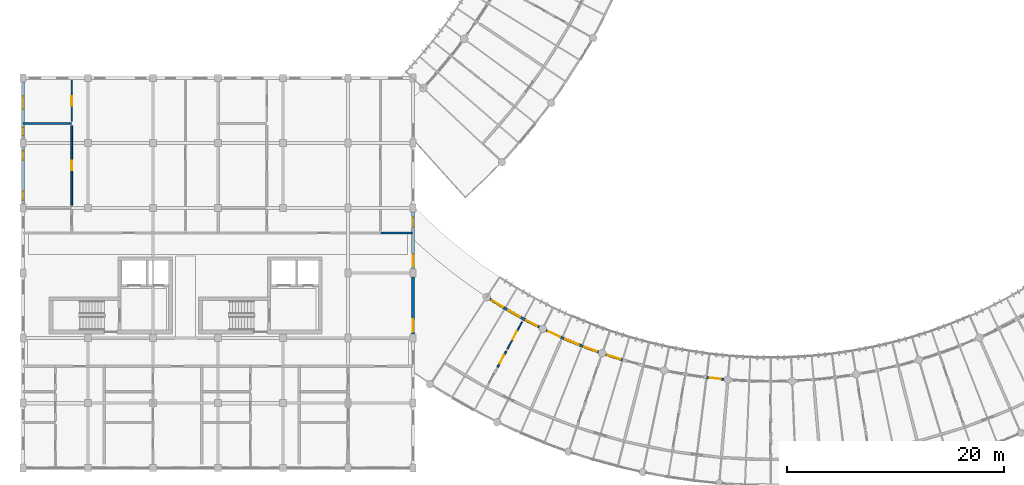
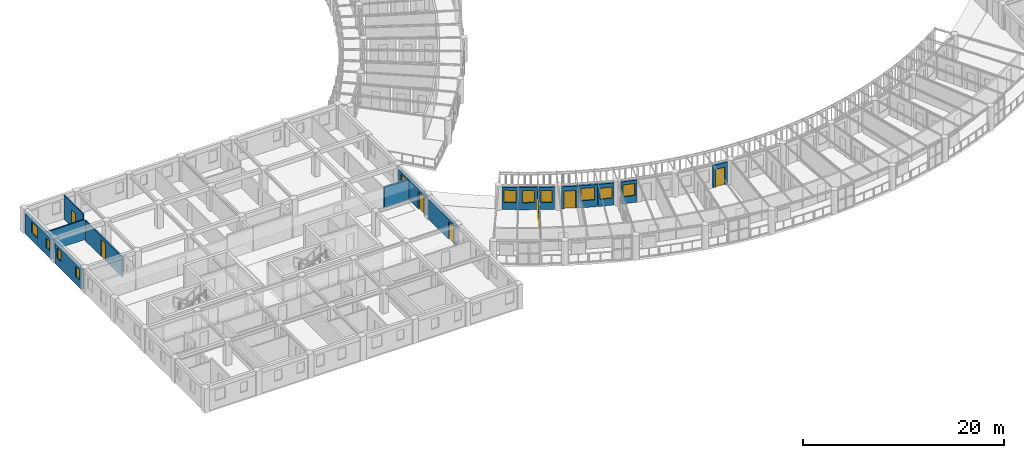
# One storey, part 58 of 100: 18 walls, 11 windows, 8 doors, 19 openings.
"""IFC4 building model written with IfcOpenShell, lengths in metres."""

from ifc_helpers import new_model, si_unit, direction, frame, frame_2d, origin, place, context, subcontext, project, spatial, rectangle, extrude, material, layer, layer_set, type_object, element, fill, save


model = new_model("IFC4")

# Units and contexts
model_context = context("Model", 3, precision=1e-05, world=origin(), true_north=direction((0.0, 1.0)))
body_context = subcontext(model_context, "Body", "Model", "MODEL_VIEW")
ifc_project = project(units=[si_unit("LENGTHUNIT", "METRE"), si_unit("AREAUNIT", "SQUARE_METRE"), si_unit("VOLUMEUNIT", "CUBIC_METRE"), si_unit("PLANEANGLEUNIT", "RADIAN"), si_unit("MASSUNIT", "GRAM", prefix="KILO"), si_unit("POWERUNIT", "WATT"), si_unit("THERMODYNAMICTEMPERATUREUNIT", "KELVIN")], contexts=[model_context])

# Site, building, storey
site_placement = place(None, origin())
site = spatial("IfcSite", under=ifc_project, at=site_placement, CompositionType="ELEMENT")
building_placement = place(site_placement, origin())
building = spatial("IfcBuilding", under=site, at=building_placement, Name="Ruvembo Vaulted Housing Court", CompositionType="ELEMENT")
storey_placement = place(building_placement, frame((0.0, 0.0, 10.89990234375)))
storey = spatial("IfcBuildingStorey", under=building, at=storey_placement, Name="L03", CompositionType="ELEMENT", Elevation=10.89990234375)

# Wall
ifc_material_1 = material(Name="Concrete Blockwork 200", Category="masonry")
ifc_layer_1 = layer(ifc_material_1, 0.199951171875, Name="Concrete Blockwork 200")
ifc_layer_set_1 = layer_set([ifc_layer_1], Name="Concrete Blockwork 200")
wall_type_1 = type_object("IfcWallType", Name="WL-CORR-200", PredefinedType="SOLIDWALL", material=ifc_layer_set_1)
wall_1_placement = place(storey_placement, frame((33.0400390625, 27.699951171875, 0.0), z_axis=(0.0, 0.0, 1.0), x_axis=(1.0, 0.0, 0.0)))
element("IfcWall", 1, at=wall_1_placement, inside=storey, type_object=wall_type_1, Name="L03 Flat A-L03-N2 Corridor Wall 2 WL-INT-L03-00823", PredefinedType="SOLIDWALL", context=body_context, shape_type="SweptSolid", body=[
    extrude(rectangle(XDim=2.919921875, YDim=0.199951171875, at=frame_2d((1.4599609375, 0.0))), origin(), (0.0, 0.0, 1.0), 2.442138671875),
])

# Wall, opening, window
ifc_material_2 = material(Name="Rendered Masonry 235", Category="masonry")
ifc_layer_2 = layer(ifc_material_2, 0.235107421875, Name="Rendered Masonry 235")
ifc_layer_set_2 = layer_set([ifc_layer_2], Name="Rendered Masonry 235")
wall_type_2 = type_object("IfcWallType", Name="WL-EXT-235", PredefinedType="STANDARD", material=ifc_layer_set_2)
wall_2_placement = place(storey_placement, frame((43.090576171875, 21.600341796875, 0.0), z_axis=(0.0, 0.0, 1.0), x_axis=(0.848934138406, -0.528498655296, 0.0)))
wall_2 = element("IfcWall", 2, at=wall_2_placement, inside=storey, type_object=wall_type_2, Name="Scoop SC2 L03 Concave Balcony Wall 0", PredefinedType="STANDARD", context=body_context, shape_type="SweptSolid", body=[
    extrude(rectangle(XDim=1.60986328125, YDim=0.235107421875, at=frame_2d((0.804931640625, 0.0))), origin(), (0.0, 0.0, 1.0), 2.68408203125),
])
opening_1_placement = place(wall_2_placement, frame((0.205078125, 0.0, 0.85009765625)))
opening_1 = element("IfcOpeningElement", 3, at=opening_1_placement, cuts=wall_2, Name="Opening W14", PredefinedType="OPENING", context=body_context, shape_type="SweptSolid", body=[
    extrude(rectangle(XDim=1.199951171875, YDim=1.5, at=frame_2d((0.60009765625, 0.75))), frame((0.0, 0.12744140625, 0.0), z_axis=(0.0, -1.0, 0.0), x_axis=(1.0, 0.0, 0.0)), (0.0, 0.0, 1.0), 0.255126953125),
])
ifc_material_3 = material(Name="Double Solar-Control Glazing in Aluminium Frame", Category="aluminium")
window_type_1 = type_object("IfcWindowType", Name="WIN-1200x1500", PartitioningType="SINGLE_PANEL", PredefinedType="WINDOW", material=ifc_material_3)
window_1_placement = place(opening_1_placement, origin())
window_1 = element("IfcWindow", 4, at=window_1_placement, inside=storey, type_object=window_type_1, Name="Scoop SC2 L03 Concave Window 0", OverallHeight=1.5, OverallWidth=1.199951171875, PartitioningType="SINGLE_PANEL", PredefinedType="WINDOW", context=body_context, shape_type="SweptSolid", body=[
    extrude(rectangle(XDim=1.199951171875, YDim=1.5, at=frame_2d((0.60009765625, 0.75))), frame((0.0, 0.030029296875, 0.0), z_axis=(0.0, -1.0, 0.0), x_axis=(1.0, 0.0, 0.0)), (0.0, 0.0, 1.0), 0.06005859375),
])
fill(opening_1, window_1)

wall_3_placement = place(storey_placement, frame((44.49169921875, 20.72900390625, 0.0), z_axis=(0.0, 0.0, 1.0), x_axis=(0.86993400964, -0.493168144623, 0.0)))
wall_3 = element("IfcWall", 5, at=wall_3_placement, inside=storey, type_object=wall_type_2, Name="Scoop SC2 L03 Concave Balcony Wall 1", PredefinedType="STANDARD", context=body_context, shape_type="SweptSolid", body=[
    extrude(rectangle(XDim=1.940185546875, YDim=0.235107421875, at=frame_2d((0.97021484375, 0.0))), origin(), (0.0, 0.0, 1.0), 2.68408203125),
])
opening_2_placement = place(wall_3_placement, frame((0.3701171875, 0.0, 0.85009765625)))
opening_2 = element("IfcOpeningElement", 6, at=opening_2_placement, cuts=wall_3, Name="Opening W14", PredefinedType="OPENING", context=body_context, shape_type="SweptSolid", body=[
    extrude(rectangle(XDim=1.199951171875, YDim=1.5, at=frame_2d((0.60009765625, 0.75))), frame((0.0, 0.12744140625, 0.0), z_axis=(0.0, -1.0, 0.0), x_axis=(1.0, 0.0, 0.0)), (0.0, 0.0, 1.0), 0.255126953125),
])
window_2_placement = place(opening_2_placement, origin())
window_2 = element("IfcWindow", 7, at=window_2_placement, inside=storey, type_object=window_type_1, Name="Scoop SC2 L03 Concave Window 1", OverallHeight=1.5, OverallWidth=1.199951171875, PartitioningType="SINGLE_PANEL", PredefinedType="WINDOW", context=body_context, shape_type="SweptSolid", body=[
    extrude(rectangle(XDim=1.199951171875, YDim=1.5, at=frame_2d((0.60009765625, 0.75))), frame((0.0, 0.030029296875, 0.0), z_axis=(0.0, -1.0, 0.0), x_axis=(1.0, 0.0, 0.0)), (0.0, 0.0, 1.0), 0.06005859375),
])
fill(opening_2, window_2)

wall_4_placement = place(storey_placement, frame((46.214599609375, 19.75341796875, 0.0), z_axis=(0.0, 0.0, 1.0), x_axis=(0.889553696252, -0.456830626693, 0.0)))
wall_4 = element("IfcWall", 8, at=wall_4_placement, inside=storey, type_object=wall_type_2, Name="Scoop SC2 L03 Concave Balcony Wall 2", PredefinedType="STANDARD", context=body_context, shape_type="SweptSolid", body=[
    extrude(rectangle(XDim=1.610107421875, YDim=0.235107421875, at=frame_2d((0.80517578125, 0.0))), origin(), (0.0, 0.0, 1.0), 2.68408203125),
])
opening_3_placement = place(wall_4_placement, frame((0.255126953125, 0.0, 0.85009765625)))
opening_3 = element("IfcOpeningElement", 9, at=opening_3_placement, cuts=wall_4, Name="Opening W10", PredefinedType="OPENING", context=body_context, shape_type="SweptSolid", body=[
    extrude(rectangle(XDim=1.10009765625, YDim=1.449951171875, at=frame_2d((0.550048828125, 0.72509765625))), frame((0.0, 0.12744140625, 0.0), z_axis=(0.0, -1.0, 0.0), x_axis=(1.0, 0.0, 0.0)), (0.0, 0.0, 1.0), 0.255126953125),
])
window_type_2 = type_object("IfcWindowType", Name="WIN-1100x1450", PartitioningType="SINGLE_PANEL", PredefinedType="WINDOW", material=ifc_material_3)
window_3_placement = place(opening_3_placement, origin())
window_3 = element("IfcWindow", 10, at=window_3_placement, inside=storey, type_object=window_type_2, Name="Scoop SC2 L03 Concave Window 2", OverallHeight=1.449951171875, OverallWidth=1.10009765625, PartitioningType="SINGLE_PANEL", PredefinedType="WINDOW", context=body_context, shape_type="SweptSolid", body=[
    extrude(rectangle(XDim=1.10009765625, YDim=1.449951171875, at=frame_2d((0.550048828125, 0.72509765625))), frame((0.0, 0.030029296875, 0.0), z_axis=(0.0, -1.0, 0.0), x_axis=(1.0, 0.0, 0.0)), (0.0, 0.0, 1.0), 0.06005859375),
])
fill(opening_3, window_3)

# Wall, opening, door
wall_5_placement = place(storey_placement, frame((48.27587890625, 18.7109375, 0.0), z_axis=(0.0, 0.0, 1.0), x_axis=(0.907630651946, -0.419769698344, 0.0)))
wall_5 = element("IfcWall", 11, at=wall_5_placement, inside=storey, type_object=wall_type_2, Name="Scoop SC2 L03 Concave Balcony Wall 3", PredefinedType="STANDARD", context=body_context, shape_type="SweptSolid", body=[
    extrude(rectangle(XDim=1.60986328125, YDim=0.235107421875, at=frame_2d((0.804931640625, 0.0))), origin(), (0.0, 0.0, 1.0), 2.68408203125),
])
opening_4_placement = place(wall_5_placement, frame((0.205078125, 0.0, 0.0)))
opening_4 = element("IfcOpeningElement", 12, at=opening_4_placement, cuts=wall_5, Name="Opening BD2", PredefinedType="OPENING", context=body_context, shape_type="SweptSolid", body=[
    extrude(rectangle(XDim=1.199951171875, YDim=2.14990234375, at=frame_2d((0.60009765625, 1.074951171875))), frame((0.0, 0.12744140625, 0.0), z_axis=(0.0, -1.0, 0.0), x_axis=(1.0, 0.0, 0.0)), (0.0, 0.0, 1.0), 0.255126953125),
])
ifc_material_4 = material(Name="Thermally Broken Glazed Aluminium", Category="aluminium")
door_type_1 = type_object("IfcDoorType", Name="DR-BAL-1200x2150", OperationType="NOTDEFINED", PredefinedType="DOOR", material=ifc_material_4)
door_1_placement = place(opening_4_placement, origin())
door_1 = element("IfcDoor", 13, at=door_1_placement, inside=storey, type_object=door_type_1, Name="Scoop SC2 L03 Balcony Door 3", OperationType="SINGLE_SWING_RIGHT", OverallHeight=2.14990234375, OverallWidth=1.199951171875, PredefinedType="DOOR", context=body_context, shape_type="SweptSolid", body=[
    extrude(rectangle(XDim=1.199951171875, YDim=2.14990234375, at=frame_2d((0.60009765625, 1.074951171875))), frame((0.0, 0.02490234375, 0.0), z_axis=(0.0, -1.0, 0.0), x_axis=(1.0, 0.0, 0.0)), (0.0, 0.0, 1.0), 0.050048828125),
])
fill(opening_4, door_1)

# Wall, opening, window
wall_6_placement = place(storey_placement, frame((49.773681640625, 18.019287109375, 0.0), z_axis=(0.0, 0.0, 1.0), x_axis=(0.92414555515, -0.382040564465, 0.0)))
wall_6 = element("IfcWall", 14, at=wall_6_placement, inside=storey, type_object=wall_type_2, Name="Scoop SC2 L03 Concave Balcony Wall 4", PredefinedType="STANDARD", context=body_context, shape_type="SweptSolid", body=[
    extrude(rectangle(XDim=1.940185546875, YDim=0.235107421875, at=frame_2d((0.97021484375, 0.0))), origin(), (0.0, 0.0, 1.0), 2.68408203125),
])
opening_5_placement = place(wall_6_placement, frame((0.294921875, 0.0, 0.85009765625)))
opening_5 = element("IfcOpeningElement", 15, at=opening_5_placement, cuts=wall_6, Name="Opening W16", PredefinedType="OPENING", context=body_context, shape_type="SweptSolid", body=[
    extrude(rectangle(XDim=1.35009765625, YDim=1.5, at=frame_2d((0.675048828125, 0.75))), frame((0.0, 0.12744140625, 0.0), z_axis=(0.0, -1.0, 0.0), x_axis=(1.0, 0.0, 0.0)), (0.0, 0.0, 1.0), 0.255126953125),
])
window_type_3 = type_object("IfcWindowType", Name="WIN-1350x1500", PartitioningType="SINGLE_PANEL", PredefinedType="WINDOW", material=ifc_material_3)
window_4_placement = place(opening_5_placement, origin())
window_4 = element("IfcWindow", 16, at=window_4_placement, inside=storey, type_object=window_type_3, Name="Scoop SC2 L03 Concave Window 4", OverallHeight=1.5, OverallWidth=1.35009765625, PartitioningType="SINGLE_PANEL", PredefinedType="WINDOW", context=body_context, shape_type="SweptSolid", body=[
    extrude(rectangle(XDim=1.35009765625, YDim=1.5, at=frame_2d((0.675048828125, 0.75))), frame((0.0, 0.030029296875, 0.0), z_axis=(0.0, -1.0, 0.0), x_axis=(1.0, 0.0, 0.0)), (0.0, 0.0, 1.0), 0.06005859375),
])
fill(opening_5, window_4)

wall_7_placement = place(storey_placement, frame((51.60400390625, 17.263671875, 0.0), z_axis=(0.0, 0.0, 1.0), x_axis=(0.939176538502, -0.34343475294, 0.0)))
wall_7 = element("IfcWall", 17, at=wall_7_placement, inside=storey, type_object=wall_type_2, Name="Scoop SC2 L03 Concave Balcony Wall 5", PredefinedType="STANDARD", context=body_context, shape_type="SweptSolid", body=[
    extrude(rectangle(XDim=1.610107421875, YDim=0.235107421875, at=frame_2d((0.80517578125, 0.0))), origin(), (0.0, 0.0, 1.0), 2.68408203125),
])
opening_6_placement = place(wall_7_placement, frame((0.205078125, 0.0, 0.85009765625)))
opening_6 = element("IfcOpeningElement", 18, at=opening_6_placement, cuts=wall_7, Name="Opening W12", PredefinedType="OPENING", context=body_context, shape_type="SweptSolid", body=[
    extrude(rectangle(XDim=1.199951171875, YDim=1.35009765625, at=frame_2d((0.60009765625, 0.675048828125))), frame((0.0, 0.12744140625, 0.0), z_axis=(0.0, -1.0, 0.0), x_axis=(1.0, 0.0, 0.0)), (0.0, 0.0, 1.0), 0.255126953125),
])
window_type_4 = type_object("IfcWindowType", Name="WIN-1200x1350", PartitioningType="SINGLE_PANEL", PredefinedType="WINDOW", material=ifc_material_3)
window_5_placement = place(opening_6_placement, origin())
window_5 = element("IfcWindow", 19, at=window_5_placement, inside=storey, type_object=window_type_4, Name="Scoop SC2 L03 Concave Window 5", OverallHeight=1.35009765625, OverallWidth=1.199951171875, PartitioningType="SINGLE_PANEL", PredefinedType="WINDOW", context=body_context, shape_type="SweptSolid", body=[
    extrude(rectangle(XDim=1.199951171875, YDim=1.35009765625, at=frame_2d((0.60009765625, 0.675048828125))), frame((0.0, 0.030029296875, 0.0), z_axis=(0.0, -1.0, 0.0), x_axis=(1.0, 0.0, 0.0)), (0.0, 0.0, 1.0), 0.06005859375),
])
fill(opening_6, window_5)

wall_8_placement = place(storey_placement, frame((53.7783203125, 16.48388671875, 0.0), z_axis=(0.0, 0.0, 1.0), x_axis=(0.952508629145, -0.304511594861, 0.0)))
wall_8 = element("IfcWall", 20, at=wall_8_placement, inside=storey, type_object=wall_type_2, Name="Scoop SC2 L03 Concave Balcony Wall 6", PredefinedType="STANDARD", context=body_context, shape_type="SweptSolid", body=[
    extrude(rectangle(XDim=1.60986328125, YDim=0.235107421875, at=frame_2d((0.804931640625, 0.0))), origin(), (0.0, 0.0, 1.0), 2.68408203125),
])
opening_7_placement = place(wall_8_placement, frame((0.205078125, 0.0, 0.85009765625)))
opening_7 = element("IfcOpeningElement", 21, at=opening_7_placement, cuts=wall_8, Name="Opening W13", PredefinedType="OPENING", context=body_context, shape_type="SweptSolid", body=[
    extrude(rectangle(XDim=1.199951171875, YDim=1.449951171875, at=frame_2d((0.60009765625, 0.72509765625))), frame((0.0, 0.12744140625, 0.0), z_axis=(0.0, -1.0, 0.0), x_axis=(1.0, 0.0, 0.0)), (0.0, 0.0, 1.0), 0.255126953125),
])
window_type_5 = type_object("IfcWindowType", Name="WIN-1200x1450", PartitioningType="SINGLE_PANEL", PredefinedType="WINDOW", material=ifc_material_3)
window_6_placement = place(opening_7_placement, origin())
window_6 = element("IfcWindow", 22, at=window_6_placement, inside=storey, type_object=window_type_5, Name="Scoop SC2 L03 Concave Window 6", OverallHeight=1.449951171875, OverallWidth=1.199951171875, PartitioningType="SINGLE_PANEL", PredefinedType="WINDOW", context=body_context, shape_type="SweptSolid", body=[
    extrude(rectangle(XDim=1.199951171875, YDim=1.449951171875, at=frame_2d((0.60009765625, 0.72509765625))), frame((0.0, 0.030029296875, 0.0), z_axis=(0.0, -1.0, 0.0), x_axis=(1.0, 0.0, 0.0)), (0.0, 0.0, 1.0), 0.06005859375),
])
fill(opening_7, window_6)

# Wall, opening, door
wall_9_placement = place(storey_placement, frame((63.094482421875, 14.364990234375, 0.0), z_axis=(0.0, 0.0, 1.0), x_axis=(0.994685905428, -0.10295605637, 0.0)))
wall_9 = element("IfcWall", 23, at=wall_9_placement, inside=storey, type_object=wall_type_2, Name="Scoop SC2 L03 Concave Balcony Wall 11", PredefinedType="STANDARD", context=body_context, shape_type="SweptSolid", body=[
    extrude(rectangle(XDim=1.610107421875, YDim=0.235107421875, at=frame_2d((0.80517578125, 0.0))), origin(), (0.0, 0.0, 1.0), 2.68408203125),
])
opening_8_placement = place(wall_9_placement, frame((0.304931640625, 0.0, 0.0)))
opening_8 = element("IfcOpeningElement", 24, at=opening_8_placement, cuts=wall_9, Name="Opening BD1", PredefinedType="OPENING", context=body_context, shape_type="SweptSolid", body=[
    extrude(rectangle(XDim=1.0, YDim=2.14990234375, at=frame_2d((0.5, 1.074951171875))), frame((0.0, 0.12744140625, 0.0), z_axis=(0.0, -1.0, 0.0), x_axis=(1.0, 0.0, 0.0)), (0.0, 0.0, 1.0), 0.255126953125),
])
door_type_2 = type_object("IfcDoorType", Name="DR-BAL-1000x2150", OperationType="NOTDEFINED", PredefinedType="DOOR", material=ifc_material_4)
door_2_placement = place(opening_8_placement, origin())
door_2 = element("IfcDoor", 25, at=door_2_placement, inside=storey, type_object=door_type_2, Name="Scoop SC2 L03 Balcony Door 11", OperationType="SINGLE_SWING_RIGHT", OverallHeight=2.14990234375, OverallWidth=1.0, PredefinedType="DOOR", context=body_context, shape_type="SweptSolid", body=[
    extrude(rectangle(XDim=1.0, YDim=2.14990234375, at=frame_2d((0.5, 1.074951171875))), frame((0.0, 0.02490234375, 0.0), z_axis=(0.0, -1.0, 0.0), x_axis=(1.0, 0.0, 0.0)), (0.0, 0.0, 1.0), 0.050048828125),
])
fill(opening_8, door_2)

ifc_material_5 = material(Name="Rendered Masonry 300", Category="masonry")
ifc_layer_3 = layer(ifc_material_5, 0.300048828125, Name="Rendered Masonry 300")
ifc_layer_set_3 = layer_set([ifc_layer_3], Name="Rendered Masonry 300")
wall_type_3 = type_object("IfcWallType", Name="WL-EXT-300", PredefinedType="STANDARD", material=ifc_layer_set_3)
wall_10_placement = place(storey_placement, frame((36.0, 18.375, 0.0), z_axis=(0.0, 0.0, 1.0), x_axis=(0.0, 1.0, 0.0)))
wall_10 = element("IfcWall", 26, at=wall_10_placement, inside=storey, type_object=wall_type_3, Name="Block A L03 Exterior Wall EAST #3", PredefinedType="STANDARD", context=body_context, shape_type="SweptSolid", body=[
    extrude(rectangle(XDim=5.25, YDim=0.300048828125, at=frame_2d((2.625, 0.0))), origin(), (0.0, 0.0, 1.0), 2.442138671875),
])
opening_9_placement = place(wall_10_placement, frame((0.199951171875, 0.0, 0.0)))
opening_9 = element("IfcOpeningElement", 27, at=opening_9_placement, cuts=wall_10, Name="Opening GD1", PredefinedType="OPENING", context=body_context, shape_type="SweptSolid", body=[
    extrude(rectangle(XDim=1.14990234375, YDim=2.14990234375, at=frame_2d((0.574951171875, 1.074951171875))), frame((0.0, 0.159912109375, 0.0), z_axis=(0.0, -1.0, 0.0), x_axis=(1.0, 0.0, 0.0)), (0.0, 0.0, 1.0), 0.320068359375),
])
door_type_3 = type_object("IfcDoorType", Name="DR-GAL-1150x2150", OperationType="NOTDEFINED", PredefinedType="DOOR", material=ifc_material_4)
door_3_placement = place(opening_9_placement, frame((1.14990234375, 0.0, 0.0), z_axis=(0.0, 0.0, 1.0), x_axis=(-1.0, 0.0, 0.0)))
door_3 = element("IfcDoor", 28, at=door_3_placement, inside=storey, type_object=door_type_3, Name="Block A L03 Terrace or Gallery Door DR-TER-A-L03-012", OperationType="SINGLE_SWING_LEFT", OverallHeight=2.14990234375, OverallWidth=1.14990234375, PredefinedType="DOOR", context=body_context, shape_type="SweptSolid", body=[
    extrude(rectangle(XDim=1.14990234375, YDim=2.14990234375, at=frame_2d((0.574951171875, 1.074951171875))), frame((0.0, 0.02490234375, 0.0), z_axis=(0.0, -1.0, 0.0), x_axis=(1.0, 0.0, 0.0)), (0.0, 0.0, 1.0), 0.050048828125),
])
fill(opening_9, door_3)

# Wall, openings, door, window
wall_11_placement = place(storey_placement, frame((36.0, 24.375, 0.0), z_axis=(0.0, 0.0, 1.0), x_axis=(0.0, 1.0, 0.0)))
wall_11 = element("IfcWall", 29, at=wall_11_placement, inside=storey, type_object=wall_type_3, Name="Block A L03 Exterior Wall EAST #4", PredefinedType="STANDARD", context=body_context, shape_type="SweptSolid", body=[
    extrude(rectangle(XDim=5.25, YDim=0.300048828125, at=frame_2d((2.625, 0.0))), origin(), (0.0, 0.0, 1.0), 2.442138671875),
])
opening_10_placement = place(wall_11_placement, frame((0.199951171875, 0.0, 0.0)))
opening_10 = element("IfcOpeningElement", 30, at=opening_10_placement, cuts=wall_11, Name="Opening GD1", PredefinedType="OPENING", context=body_context, shape_type="SweptSolid", body=[
    extrude(rectangle(XDim=1.14990234375, YDim=2.14990234375, at=frame_2d((0.574951171875, 1.074951171875))), frame((0.0, 0.159912109375, 0.0), z_axis=(0.0, -1.0, 0.0), x_axis=(1.0, 0.0, 0.0)), (0.0, 0.0, 1.0), 0.320068359375),
])
opening_11_placement = place(wall_11_placement, frame((3.857421875, 0.0, 0.89990234375)))
opening_11 = element("IfcOpeningElement", 31, at=opening_11_placement, cuts=wall_11, Name="Opening W04", PredefinedType="OPENING", context=body_context, shape_type="SweptSolid", body=[
    extrude(rectangle(XDim=0.89990234375, YDim=1.300048828125, at=frame_2d((0.449951171875, 0.64990234375))), frame((0.0, 0.159912109375, 0.0), z_axis=(0.0, -1.0, 0.0), x_axis=(1.0, 0.0, 0.0)), (0.0, 0.0, 1.0), 0.320068359375),
])
door_4_placement = place(opening_10_placement, frame((1.14990234375, 0.0, 0.0), z_axis=(0.0, 0.0, 1.0), x_axis=(-1.0, 0.0, 0.0)))
door_4 = element("IfcDoor", 32, at=door_4_placement, inside=storey, type_object=door_type_3, Name="Block A L03 Terrace or Gallery Door DR-TER-A-L03-013", OperationType="SINGLE_SWING_RIGHT", OverallHeight=2.14990234375, OverallWidth=1.14990234375, PredefinedType="DOOR", context=body_context, shape_type="SweptSolid", body=[
    extrude(rectangle(XDim=1.14990234375, YDim=2.14990234375, at=frame_2d((0.574951171875, 1.074951171875))), frame((0.0, 0.02490234375, 0.0), z_axis=(0.0, -1.0, 0.0), x_axis=(1.0, 0.0, 0.0)), (0.0, 0.0, 1.0), 0.050048828125),
])
fill(opening_10, door_4)
window_type_6 = type_object("IfcWindowType", Name="WIN-0900x1300", PartitioningType="SINGLE_PANEL", PredefinedType="WINDOW", material=ifc_material_3)
window_7_placement = place(opening_11_placement, origin())
window_7 = element("IfcWindow", 33, at=window_7_placement, inside=storey, type_object=window_type_6, Name="Block A L03 Window #140", OverallHeight=1.300048828125, OverallWidth=0.89990234375, PartitioningType="SINGLE_PANEL", PredefinedType="WINDOW", context=body_context, shape_type="SweptSolid", body=[
    extrude(rectangle(XDim=0.89990234375, YDim=1.300048828125, at=frame_2d((0.449951171875, 0.64990234375))), frame((0.0, 0.030029296875, 0.0), z_axis=(0.0, -1.0, 0.0), x_axis=(1.0, 0.0, 0.0)), (0.0, 0.0, 1.0), 0.06005859375),
])
fill(opening_11, window_7)

# Wall, openings, windows
wall_12_placement = place(storey_placement, frame((0.0, 41.625, 0.0), z_axis=(0.0, 0.0, 1.0), x_axis=(0.0, -1.0, 0.0)))
wall_12 = element("IfcWall", 34, at=wall_12_placement, inside=storey, type_object=wall_type_3, Name="Block A L03 Exterior Wall WEST #1", PredefinedType="STANDARD", context=body_context, shape_type="SweptSolid", body=[
    extrude(rectangle(XDim=5.25, YDim=0.300048828125, at=frame_2d((2.625, 0.0))), origin(), (0.0, 0.0, 1.0), 2.442138671875),
])
opening_12_placement = place(wall_12_placement, frame((1.29248046875, 0.0, 0.89990234375)))
opening_12 = element("IfcOpeningElement", 35, at=opening_12_placement, cuts=wall_12, Name="Opening W12", PredefinedType="OPENING", context=body_context, shape_type="SweptSolid", body=[
    extrude(rectangle(XDim=1.199951171875, YDim=1.35009765625, at=frame_2d((0.60009765625, 0.675048828125))), frame((0.0, 0.159912109375, 0.0), z_axis=(0.0, -1.0, 0.0), x_axis=(1.0, 0.0, 0.0)), (0.0, 0.0, 1.0), 0.320068359375),
])
opening_13_placement = place(wall_12_placement, frame((4.1826171875, 0.0, 0.89990234375)))
opening_13 = element("IfcOpeningElement", 36, at=opening_13_placement, cuts=wall_12, Name="Opening W01", PredefinedType="OPENING", context=body_context, shape_type="SweptSolid", body=[
    extrude(rectangle(XDim=0.75, YDim=1.14990234375, at=frame_2d((0.375, 0.574951171875))), frame((0.0, 0.159912109375, 0.0), z_axis=(0.0, -1.0, 0.0), x_axis=(1.0, 0.0, 0.0)), (0.0, 0.0, 1.0), 0.320068359375),
])
window_type_7 = type_object("IfcWindowType", Name="WIN-0750x1150", PartitioningType="SINGLE_PANEL", PredefinedType="WINDOW", material=ifc_material_3)
window_8_placement = place(opening_13_placement, origin())
window_8 = element("IfcWindow", 37, at=window_8_placement, inside=storey, type_object=window_type_7, Name="Block A L03 Window #156", OverallHeight=1.14990234375, OverallWidth=0.75, PartitioningType="SINGLE_PANEL", PredefinedType="WINDOW", context=body_context, shape_type="SweptSolid", body=[
    extrude(rectangle(XDim=0.75, YDim=1.14990234375, at=frame_2d((0.375, 0.574951171875))), frame((0.0, 0.030029296875, 0.0), z_axis=(0.0, -1.0, 0.0), x_axis=(1.0, 0.0, 0.0)), (0.0, 0.0, 1.0), 0.06005859375),
])
fill(opening_13, window_8)
window_9_placement = place(opening_12_placement, origin())
window_9 = element("IfcWindow", 38, at=window_9_placement, inside=storey, type_object=window_type_4, Name="Block A L03 Window #155", OverallHeight=1.35009765625, OverallWidth=1.199951171875, PartitioningType="SINGLE_PANEL", PredefinedType="WINDOW", context=body_context, shape_type="SweptSolid", body=[
    extrude(rectangle(XDim=1.199951171875, YDim=1.35009765625, at=frame_2d((0.60009765625, 0.675048828125))), frame((0.0, 0.030029296875, 0.0), z_axis=(0.0, -1.0, 0.0), x_axis=(1.0, 0.0, 0.0)), (0.0, 0.0, 1.0), 0.06005859375),
])
fill(opening_12, window_9)

wall_13_placement = place(storey_placement, frame((0.0, 35.625, 0.0), z_axis=(0.0, 0.0, 1.0), x_axis=(0.0, -1.0, 0.0)))
wall_13 = element("IfcWall", 39, at=wall_13_placement, inside=storey, type_object=wall_type_3, Name="Block A L03 Exterior Wall WEST #2", PredefinedType="STANDARD", context=body_context, shape_type="SweptSolid", body=[
    extrude(rectangle(XDim=5.25, YDim=0.300048828125, at=frame_2d((2.625, 0.0))), origin(), (0.0, 0.0, 1.0), 2.442138671875),
])
opening_14_placement = place(wall_13_placement, frame((0.35009765625, 0.0, 0.89990234375)))
opening_14 = element("IfcOpeningElement", 40, at=opening_14_placement, cuts=wall_13, Name="Opening W03", PredefinedType="OPENING", context=body_context, shape_type="SweptSolid", body=[
    extrude(rectangle(XDim=0.85009765625, YDim=1.25, at=frame_2d((0.425048828125, 0.625))), frame((0.0, 0.159912109375, 0.0), z_axis=(0.0, -1.0, 0.0), x_axis=(1.0, 0.0, 0.0)), (0.0, 0.0, 1.0), 0.320068359375),
])
opening_15_placement = place(wall_13_placement, frame((4.050048828125, 0.0, 0.89990234375)))
opening_15 = element("IfcOpeningElement", 41, at=opening_15_placement, cuts=wall_13, Name="Opening W03", PredefinedType="OPENING", context=body_context, shape_type="SweptSolid", body=[
    extrude(rectangle(XDim=0.85009765625, YDim=1.25, at=frame_2d((0.425048828125, 0.625))), frame((0.0, 0.159912109375, 0.0), z_axis=(0.0, -1.0, 0.0), x_axis=(1.0, 0.0, 0.0)), (0.0, 0.0, 1.0), 0.320068359375),
])
window_type_8 = type_object("IfcWindowType", Name="WIN-0850x1250", PartitioningType="SINGLE_PANEL", PredefinedType="WINDOW", material=ifc_material_3)
window_10_placement = place(opening_14_placement, origin())
window_10 = element("IfcWindow", 42, at=window_10_placement, inside=storey, type_object=window_type_8, Name="Block A L03 Window #157", OverallHeight=1.25, OverallWidth=0.85009765625, PartitioningType="SINGLE_PANEL", PredefinedType="WINDOW", context=body_context, shape_type="SweptSolid", body=[
    extrude(rectangle(XDim=0.85009765625, YDim=1.25, at=frame_2d((0.425048828125, 0.625))), frame((0.0, 0.030029296875, 0.0), z_axis=(0.0, -1.0, 0.0), x_axis=(1.0, 0.0, 0.0)), (0.0, 0.0, 1.0), 0.06005859375),
])
fill(opening_14, window_10)
window_11_placement = place(opening_15_placement, origin())
window_11 = element("IfcWindow", 43, at=window_11_placement, inside=storey, type_object=window_type_8, Name="Block A L03 Window #158", OverallHeight=1.25, OverallWidth=0.85009765625, PartitioningType="SINGLE_PANEL", PredefinedType="WINDOW", context=body_context, shape_type="SweptSolid", body=[
    extrude(rectangle(XDim=0.85009765625, YDim=1.25, at=frame_2d((0.425048828125, 0.625))), frame((0.0, 0.030029296875, 0.0), z_axis=(0.0, -1.0, 0.0), x_axis=(1.0, 0.0, 0.0)), (0.0, 0.0, 1.0), 0.06005859375),
])
fill(opening_15, window_11)

# Wall, opening, door
ifc_material_6 = material(Name="Plasterboard Stud Partition 125", Category="gypsum")
ifc_layer_4 = layer(ifc_material_6, 0.125, Name="Plasterboard Stud Partition 125")
ifc_layer_set_4 = layer_set([ifc_layer_4], Name="Plasterboard Stud Partition 125")
wall_type_4 = type_object("IfcWallType", Name="WL-PART-125", PredefinedType="PARTITIONING", material=ifc_layer_set_4)
wall_14_placement = place(storey_placement, frame((4.5, 37.989990234375, 0.0), z_axis=(0.0, 0.0, 1.0), x_axis=(0.0, 1.0, 0.0)))
wall_14 = element("IfcWall", 44, at=wall_14_placement, inside=storey, type_object=wall_type_4, Name="L03 Flat A-L03-N1 Bedroom 1 WL-INT-L03-00809", PredefinedType="PARTITIONING", context=body_context, shape_type="SweptSolid", body=[
    extrude(rectangle(XDim=3.820068359375, YDim=0.125, at=frame_2d((1.91015625, 0.0))), origin(), (0.0, 0.0, 1.0), 2.960205078125),
])
opening_16_placement = place(wall_14_placement, frame((1.469970703125, 0.0, 0.0)))
opening_16 = element("IfcOpeningElement", 45, at=opening_16_placement, cuts=wall_14, Name="Opening ID3", PredefinedType="OPENING", context=body_context, shape_type="SweptSolid", body=[
    extrude(rectangle(XDim=0.8798828125, YDim=2.10009765625, at=frame_2d((0.43994140625, 1.050048828125))), frame((0.0, 0.072509765625, 0.0), z_axis=(0.0, -1.0, 0.0), x_axis=(1.0, 0.0, 0.0)), (0.0, 0.0, 1.0), 0.14501953125),
])
ifc_material_7 = material(Name="FSC Hardwood and Engineered Timber", Category="wood")
door_type_4 = type_object("IfcDoorType", Name="DR-ROOM-0880x2100", OperationType="NOTDEFINED", PredefinedType="DOOR", material=ifc_material_7)
door_5_placement = place(opening_16_placement, origin())
door_5 = element("IfcDoor", 46, at=door_5_placement, inside=storey, type_object=door_type_4, Name="L03 Flat A-L03-N1 Bedroom 1 Door DR-INT-L03-00449", OperationType="SINGLE_SWING_LEFT", OverallHeight=2.10009765625, OverallWidth=0.8798828125, PredefinedType="DOOR", context=body_context, shape_type="SweptSolid", body=[
    extrude(rectangle(XDim=0.8798828125, YDim=2.10009765625, at=frame_2d((0.43994140625, 1.050048828125))), frame((0.0, 0.02490234375, 0.0), z_axis=(0.0, -1.0, 0.0), x_axis=(1.0, 0.0, 0.0)), (0.0, 0.0, 1.0), 0.050048828125),
])
fill(opening_16, door_5)

wall_15_placement = place(storey_placement, frame((46.041015625, 19.473876953125, 0.0), z_axis=(0.0, 0.0, 1.0), x_axis=(-0.475103009949, -0.879930184695, 0.0)))
wall_15 = element("IfcWall", 47, at=wall_15_placement, inside=storey, type_object=wall_type_4, Name="L03 Suite SC2-L03-U1 Bedroom WL-INT-L03-01006", PredefinedType="PARTITIONING", context=body_context, shape_type="SweptSolid", body=[
    extrude(rectangle(XDim=2.800048828125, YDim=0.125, at=frame_2d((1.39990234375, 0.0))), origin(), (0.0, 0.0, 1.0), 2.7421875),
])
opening_17_placement = place(wall_15_placement, frame((0.9599609375, 0.0, 0.0)))
opening_17 = element("IfcOpeningElement", 48, at=opening_17_placement, cuts=wall_15, Name="Opening ID3", PredefinedType="OPENING", context=body_context, shape_type="SweptSolid", body=[
    extrude(rectangle(XDim=0.8798828125, YDim=2.10009765625, at=frame_2d((0.43994140625, 1.050048828125))), frame((0.0, 0.072509765625, 0.0), z_axis=(0.0, -1.0, 0.0), x_axis=(1.0, 0.0, 0.0)), (0.0, 0.0, 1.0), 0.14501953125),
])
door_6_placement = place(opening_17_placement, origin())
door_6 = element("IfcDoor", 49, at=door_6_placement, inside=storey, type_object=door_type_4, Name="L03 Suite SC2-L03-U1 Bedroom Door DR-INT-L03-00557", OperationType="SINGLE_SWING_LEFT", OverallHeight=2.10009765625, OverallWidth=0.8798828125, PredefinedType="DOOR", context=body_context, shape_type="SweptSolid", body=[
    extrude(rectangle(XDim=0.8798828125, YDim=2.10009765625, at=frame_2d((0.43994140625, 1.050048828125))), frame((0.0, 0.02490234375, 0.0), z_axis=(0.0, -1.0, 0.0), x_axis=(1.0, 0.0, 0.0)), (0.0, 0.0, 1.0), 0.050048828125),
])
fill(opening_17, door_6)

# Wall
ifc_material_8 = material(Name="Moisture-Resistant Wet Partition 150", Category="gypsum")
ifc_layer_5 = layer(ifc_material_8, 0.14990234375, Name="Moisture-Resistant Wet Partition 150")
ifc_layer_set_5 = layer_set([ifc_layer_5], Name="Moisture-Resistant Wet Partition 150")
wall_type_5 = type_object("IfcWallType", Name="WL-PART-150", PredefinedType="PARTITIONING", material=ifc_layer_set_5)
wall_16_placement = place(storey_placement, frame((0.0400390625, 37.800048828125, 0.0), z_axis=(0.0, 0.0, 1.0), x_axis=(1.0, 0.0, 0.0)))
element("IfcWall", 50, at=wall_16_placement, inside=storey, type_object=wall_type_5, Name="L03 Flat A-L03-N1 Wet Wall 1 WL-INT-L03-00812", PredefinedType="PARTITIONING", context=body_context, shape_type="SweptSolid", body=[
    extrude(rectangle(XDim=4.419921875, YDim=0.14990234375, at=frame_2d((2.2099609375, 0.0))), origin(), (0.0, 0.0, 1.0), 2.442138671875),
])

# Wall, opening, door
ifc_material_9 = material(Name="Acoustic Service Chase Wall 160", Category="gypsum")
ifc_layer_6 = layer(ifc_material_9, 0.159912109375, Name="Acoustic Service Chase Wall 160")
ifc_layer_set_6 = layer_set([ifc_layer_6], Name="Acoustic Service Chase Wall 160")
wall_type_6 = type_object("IfcWallType", Name="WL-PLUMB-160", PredefinedType="PLUMBINGWALL", material=ifc_layer_set_6)
wall_17_placement = place(storey_placement, frame((4.5, 30.239990234375, 0.0), z_axis=(0.0, 0.0, 1.0), x_axis=(0.0, 1.0, 0.0)))
wall_17 = element("IfcWall", 51, at=wall_17_placement, inside=storey, type_object=wall_type_6, Name="L03 Flat A-L03-N1 Kitchen WL-INT-L03-00810", PredefinedType="PLUMBINGWALL", context=body_context, shape_type="SweptSolid", body=[
    extrude(rectangle(XDim=7.3701171875, YDim=0.159912109375, at=frame_2d((3.68505859375, 0.0))), origin(), (0.0, 0.0, 1.0), 2.442138671875),
])
opening_18_placement = place(wall_17_placement, frame((3.235107421875, 0.0, 0.0)))
opening_18 = element("IfcOpeningElement", 52, at=opening_18_placement, cuts=wall_17, Name="Opening ID1", PredefinedType="OPENING", context=body_context, shape_type="SweptSolid", body=[
    extrude(rectangle(XDim=0.89990234375, YDim=2.10009765625, at=frame_2d((0.449951171875, 1.050048828125))), frame((0.0, 0.08984375, 0.0), z_axis=(0.0, -1.0, 0.0), x_axis=(1.0, 0.0, 0.0)), (0.0, 0.0, 1.0), 0.179931640625),
])
door_type_5 = type_object("IfcDoorType", Name="DR-ROOM-0900x2100", OperationType="NOTDEFINED", PredefinedType="DOOR", material=ifc_material_7)
door_7_placement = place(opening_18_placement, origin())
door_7 = element("IfcDoor", 53, at=door_7_placement, inside=storey, type_object=door_type_5, Name="L03 Flat A-L03-N1 Kitchen Door DR-INT-L03-00450", OperationType="SINGLE_SWING_RIGHT", OverallHeight=2.10009765625, OverallWidth=0.89990234375, PredefinedType="DOOR", context=body_context, shape_type="SweptSolid", body=[
    extrude(rectangle(XDim=0.89990234375, YDim=2.10009765625, at=frame_2d((0.449951171875, 1.050048828125))), frame((0.0, 0.02490234375, 0.0), z_axis=(0.0, -1.0, 0.0), x_axis=(1.0, 0.0, 0.0)), (0.0, 0.0, 1.0), 0.050048828125),
])
fill(opening_18, door_7)

wall_18_placement = place(storey_placement, frame((44.58154296875, 16.7705078125, 0.0), z_axis=(0.0, 0.0, 1.0), x_axis=(-0.475080097018, -0.879942555749, 0.0)))
wall_18 = element("IfcWall", 54, at=wall_18_placement, inside=storey, type_object=wall_type_6, Name="L03 Suite SC2-L03-U1 Kitchen WL-INT-L03-01007", PredefinedType="PLUMBINGWALL", context=body_context, shape_type="SweptSolid", body=[
    extrude(rectangle(XDim=1.64794921875, YDim=0.159912109375, at=frame_2d((0.823974609375, 0.0))), origin(), (0.0, 0.0, 1.0), 2.7421875),
])
opening_19_placement = place(wall_18_placement, frame((0.3740234375, 0.0, 0.0)))
opening_19 = element("IfcOpeningElement", 55, at=opening_19_placement, cuts=wall_18, Name="Opening ID1", PredefinedType="OPENING", context=body_context, shape_type="SweptSolid", body=[
    extrude(rectangle(XDim=0.89990234375, YDim=2.10009765625, at=frame_2d((0.449951171875, 1.050048828125))), frame((0.0, 0.08984375, 0.0), z_axis=(0.0, -1.0, 0.0), x_axis=(1.0, 0.0, 0.0)), (0.0, 0.0, 1.0), 0.179931640625),
])
door_8_placement = place(opening_19_placement, origin())
door_8 = element("IfcDoor", 56, at=door_8_placement, inside=storey, type_object=door_type_5, Name="L03 Suite SC2-L03-U1 Kitchen Door DR-INT-L03-00558", OperationType="SINGLE_SWING_RIGHT", OverallHeight=2.10009765625, OverallWidth=0.89990234375, PredefinedType="DOOR", context=body_context, shape_type="SweptSolid", body=[
    extrude(rectangle(XDim=0.89990234375, YDim=2.10009765625, at=frame_2d((0.449951171875, 1.050048828125))), frame((0.0, 0.02490234375, 0.0), z_axis=(0.0, -1.0, 0.0), x_axis=(1.0, 0.0, 0.0)), (0.0, 0.0, 1.0), 0.050048828125),
])
fill(opening_19, door_8)

save(model, "model.ifc")
